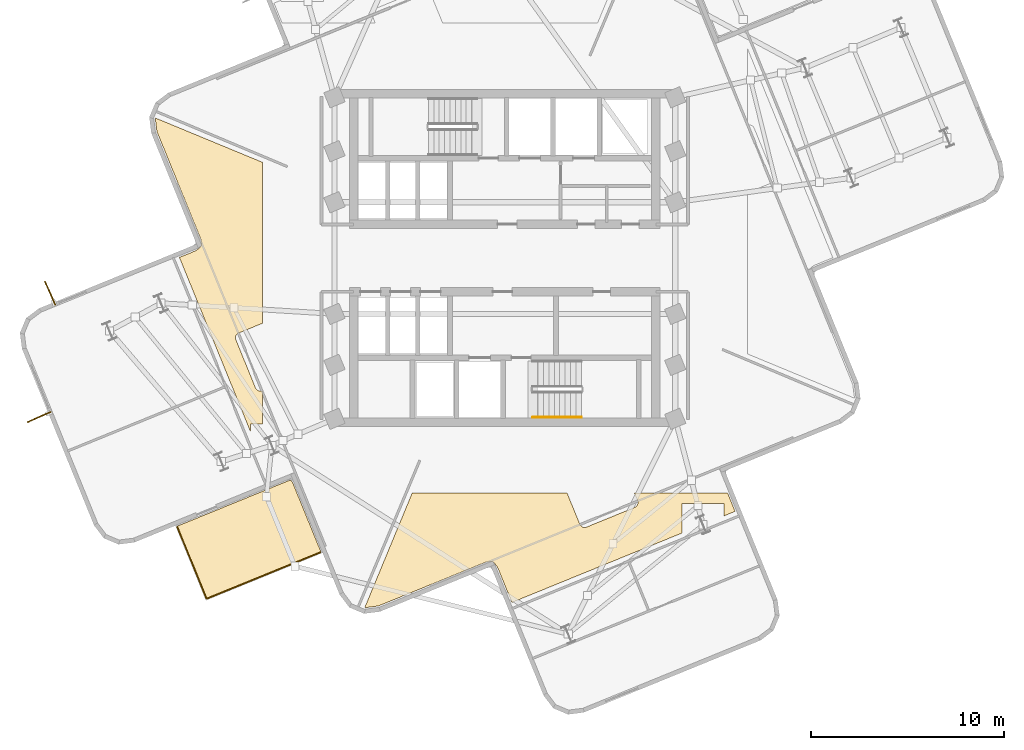
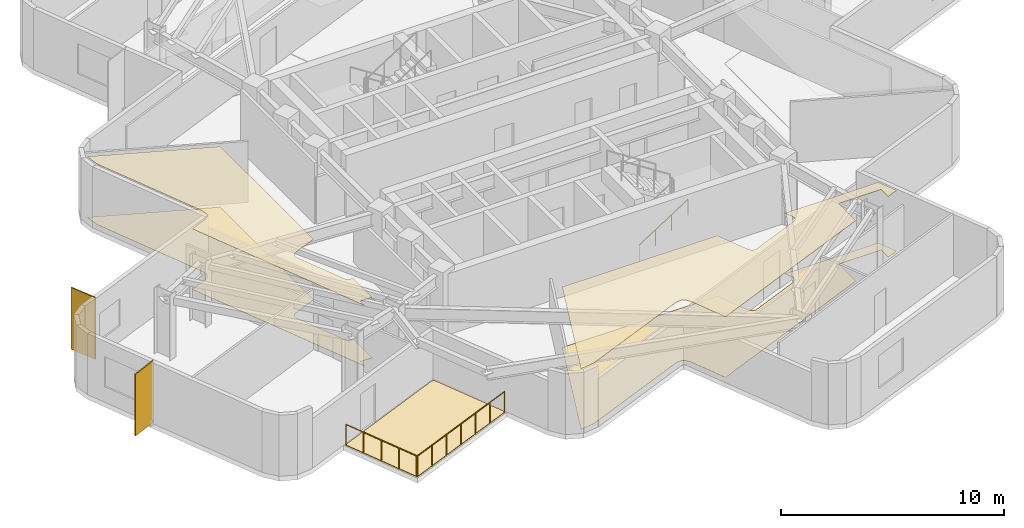
# One storey, part 6 of 8: 5 coverings, 3 railings, 2 shading devices.
"""IFC4 building model written with IfcOpenShell, lengths in metres."""

from ifc_helpers import new_model, si_unit, direction, frame, origin, origin_2d, place, context, subcontext, project, spatial, polyline, rectangle, circle, outline, extrude, material, layer, layer_set, type_object, element, save


model = new_model("IFC4")

# Units and contexts
model_context = context("Model", 3, precision=1e-05, world=origin(), true_north=direction((0.0, 1.0)))
body_context = subcontext(model_context, "Body", "Model", "MODEL_VIEW")
ifc_project = project(units=[si_unit("LENGTHUNIT", "METRE"), si_unit("AREAUNIT", "SQUARE_METRE"), si_unit("VOLUMEUNIT", "CUBIC_METRE"), si_unit("PLANEANGLEUNIT", "RADIAN"), si_unit("MASSUNIT", "GRAM", prefix="KILO")], contexts=[model_context])

# Site, building, storey
site_placement = place(None, origin())
site = spatial("IfcSite", under=ifc_project, at=site_placement, CompositionType="ELEMENT")
building_placement = place(site_placement, origin())
building = spatial("IfcBuilding", under=site, at=building_placement, Name="Solmarez Civic Tower", CompositionType="ELEMENT")
storey_placement = place(building_placement, frame((0.0, 0.0, 173.8798828125)))
storey = spatial("IfcBuildingStorey", under=building, at=storey_placement, Name="L46", CompositionType="ELEMENT", Elevation=173.8798828125)

# Coverings
ifc_material_1 = material(Name="Perforated Mineral-Fibre Acoustic Ceiling")
ifc_layer_1 = layer(ifc_material_1, 0.02490234375)
ifc_layer_set_1 = layer_set([ifc_layer_1], Name="Perforated Mineral-Fibre Acoustic Ceiling")
covering_type_1 = type_object("IfcCoveringType", Name="COV-CEIL-ACOUSTIC", PredefinedType="CEILING", material=ifc_layer_set_1)
covering_1_placement = place(storey_placement, frame((0.0, 0.0, 3.315185546875)))
element("IfcCovering", 1, at=covering_1_placement, inside=storey, type_object=covering_type_1, Name="L46 Suspended Acoustic Ceiling 2", PredefinedType="CEILING", context=body_context, shape_type="SweptSolid", body=[
    extrude(outline(polyline([(11.568115234375, -12.199951171875), (6.72802734375, -12.199951171875), (6.89208984375, -12.60107421875), (6.89404296875, -12.60595703125), (6.89990234375, -12.623046875), (6.905029296875, -12.639892578125), (6.906982421875, -12.64892578125), (6.910888671875, -12.673095703125), (6.912109375, -12.697021484375), (6.912109375, -12.70703125), (6.910888671875, -12.72900390625), (6.907958984375, -12.75), (6.906982421875, -12.7548828125), (6.89990234375, -12.781982421875), (6.89697265625, -12.791015625), (6.89208984375, -12.802978515625), (6.889892578125, -12.80810546875), (6.882080078125, -12.824951171875), (6.873046875, -12.842041015625), (6.862060546875, -12.85791015625), (6.85595703125, -12.865966796875), (6.846923828125, -12.876953125), (6.841064453125, -12.884033203125), (6.823974609375, -12.902099609375), (6.805908203125, -12.9169921875), (6.802001953125, -12.919921875), (6.781005859375, -12.93408203125), (6.759033203125, -12.945068359375), (6.75, -12.948974609375), (6.743896484375, -12.951904296875), (4.242919921875, -13.971923828125), (4.238037109375, -13.97412109375), (4.218994140625, -13.98095703125), (4.198974609375, -13.986083984375), (4.194091796875, -13.987060546875), (4.175048828125, -13.989990234375), (4.166015625, -13.990966796875), (4.14208984375, -13.991943359375), (4.136962890625, -13.991943359375), (4.114990234375, -13.990966796875), (4.093994140625, -13.988037109375), (4.089111328125, -13.987060546875), (4.06201171875, -13.97998046875), (4.052978515625, -13.97705078125), (4.041015625, -13.971923828125), (4.035888671875, -13.969970703125), (4.01904296875, -13.9619140625), (4.001953125, -13.952880859375), (3.986083984375, -13.94189453125), (3.97802734375, -13.93603515625), (3.97412109375, -13.93310546875), (3.9560546875, -13.91796875), (3.93896484375, -13.89990234375), (3.93310546875, -13.89306640625), (3.919921875, -13.8759765625), (3.908935546875, -13.85791015625), (3.89892578125, -13.839111328125), (3.89501953125, -13.830078125), (3.89208984375, -13.823974609375), (3.22900390625, -12.199951171875), (-4.81201171875, -12.199951171875), (-7.278076171875, -18.157958984375), (-7.27197265625, -18.159912109375), (-6.569091796875, -18.071044921875), (-1.032958984375, -15.81201171875), (-1.010009765625, -15.803955078125), (-1.0029296875, -15.802001953125), (-0.99609375, -15.800048828125), (-0.967041015625, -15.7939453125), (-0.95703125, -15.79296875), (-0.787109375, -15.77099609375), (-0.759033203125, -15.76904296875), (-0.742919921875, -15.76904296875), (-0.7119140625, -15.77099609375), (-0.70703125, -15.77197265625), (-0.700927734375, -15.77294921875), (-0.68408203125, -15.77490234375), (-0.66796875, -15.779052734375), (-0.660888671875, -15.781005859375), (-0.634033203125, -15.791015625), (-0.626953125, -15.7939453125), (-0.60498046875, -15.804931640625), (-0.597900390625, -15.80908203125), (-0.5849609375, -15.81689453125), (-0.5791015625, -15.821044921875), (-0.56005859375, -15.8349609375), (-0.553955078125, -15.840087890625), (-0.5390625, -15.85302734375), (-0.533935546875, -15.85791015625), (-0.52099609375, -15.873046875), (-0.51611328125, -15.87890625), (-0.510009765625, -15.886962890625), (-0.406005859375, -16.02392578125), (-0.39794921875, -16.034912109375), (-0.39404296875, -16.041015625), (-0.3798828125, -16.06494140625), (-0.3740234375, -16.076904296875), (-0.366943359375, -16.092041015625), (0.365966796875, -17.887939453125), (9.18994140625, -14.287109375), (9.18994140625, -12.75), (11.389892578125, -12.75), (11.389892578125, -13.388916015625), (11.9580078125, -13.156982421875), (11.568115234375, -12.199951171875)])), origin(), (0.0, 0.0, 1.0), 0.02490234375),
])
covering_2_placement = place(storey_placement, frame((0.0, 0.0, 3.315185546875)))
element("IfcCovering", 2, at=covering_2_placement, inside=storey, type_object=covering_type_1, Name="L46 Suspended Acoustic Ceiling 4", PredefinedType="CEILING", context=body_context, shape_type="SweptSolid", body=[
    extrude(outline(polyline([(-13.2060546875, -9.031982421875), (-13.2060546875, -8.631103515625), (-12.60009765625, -8.631103515625), (-12.60009765625, -6.89208984375), (-12.613037109375, -6.89697265625), (-12.6220703125, -6.89990234375), (-12.64892578125, -6.906982421875), (-12.654052734375, -6.907958984375), (-12.675048828125, -6.910888671875), (-12.697021484375, -6.912109375), (-12.70703125, -6.912109375), (-12.72900390625, -6.910888671875), (-12.75, -6.907958984375), (-12.7548828125, -6.906982421875), (-12.781982421875, -6.89990234375), (-12.791015625, -6.89697265625), (-12.802978515625, -6.89208984375), (-12.80810546875, -6.889892578125), (-12.824951171875, -6.882080078125), (-12.842041015625, -6.873046875), (-12.85791015625, -6.862060546875), (-12.865966796875, -6.85595703125), (-12.876953125, -6.846923828125), (-12.884033203125, -6.841064453125), (-12.902099609375, -6.823974609375), (-12.9169921875, -6.805908203125), (-12.919921875, -6.802001953125), (-12.93408203125, -6.781005859375), (-12.945068359375, -6.759033203125), (-12.948974609375, -6.75), (-12.951904296875, -6.743896484375), (-13.971923828125, -4.242919921875), (-13.97412109375, -4.238037109375), (-13.98095703125, -4.218994140625), (-13.986083984375, -4.198974609375), (-13.987060546875, -4.194091796875), (-13.989990234375, -4.175048828125), (-13.990966796875, -4.166015625), (-13.991943359375, -4.14208984375), (-13.991943359375, -4.136962890625), (-13.990966796875, -4.114990234375), (-13.988037109375, -4.093994140625), (-13.987060546875, -4.089111328125), (-13.97998046875, -4.06201171875), (-13.97705078125, -4.052978515625), (-13.971923828125, -4.041015625), (-13.969970703125, -4.035888671875), (-13.9619140625, -4.01904296875), (-13.952880859375, -4.001953125), (-13.94189453125, -3.986083984375), (-13.93603515625, -3.97802734375), (-13.93310546875, -3.97412109375), (-13.91796875, -3.9560546875), (-13.89990234375, -3.93896484375), (-13.89306640625, -3.93310546875), (-13.8759765625, -3.919921875), (-13.85791015625, -3.908935546875), (-13.839111328125, -3.89892578125), (-13.830078125, -3.89501953125), (-13.823974609375, -3.89208984375), (-12.60009765625, -3.39208984375), (-12.60009765625, 4.97705078125), (-18.157958984375, 7.278076171875), (-18.159912109375, 7.27197265625), (-18.071044921875, 6.569091796875), (-15.81201171875, 1.032958984375), (-15.803955078125, 1.010009765625), (-15.802001953125, 1.0029296875), (-15.800048828125, 0.99609375), (-15.7939453125, 0.967041015625), (-15.79296875, 0.95703125), (-15.77099609375, 0.787109375), (-15.76904296875, 0.759033203125), (-15.76904296875, 0.742919921875), (-15.77099609375, 0.7119140625), (-15.77197265625, 0.70703125), (-15.77294921875, 0.700927734375), (-15.77490234375, 0.68408203125), (-15.779052734375, 0.66796875), (-15.781005859375, 0.660888671875), (-15.791015625, 0.634033203125), (-15.7939453125, 0.626953125), (-15.804931640625, 0.60498046875), (-15.80908203125, 0.597900390625), (-15.81689453125, 0.5849609375), (-15.821044921875, 0.5791015625), (-15.8349609375, 0.56005859375), (-15.840087890625, 0.553955078125), (-15.85302734375, 0.5390625), (-15.85791015625, 0.533935546875), (-15.873046875, 0.52099609375), (-15.87890625, 0.51611328125), (-15.886962890625, 0.510009765625), (-16.02392578125, 0.406005859375), (-16.034912109375, 0.39794921875), (-16.041015625, 0.39404296875), (-16.06494140625, 0.3798828125), (-16.076904296875, 0.3740234375), (-16.092041015625, 0.366943359375), (-16.906005859375, 0.034912109375), (-13.2060546875, -9.031982421875)])), origin(), (0.0, 0.0, 1.0), 0.02490234375),
])
ifc_material_2 = material(Name="Polished Tropical Stone Terrazzo Flooring", Category="masonry")
ifc_layer_2 = layer(ifc_material_2, 0.02001953125)
ifc_layer_set_2 = layer_set([ifc_layer_2], Name="Polished Tropical Stone Terrazzo Flooring")
covering_type_2 = type_object("IfcCoveringType", Name="COV-FLOOR-TERRAZZO", PredefinedType="FLOORING", material=ifc_layer_set_2)
covering_3_placement = place(storey_placement, origin())
element("IfcCovering", 3, at=covering_3_placement, inside=storey, type_object=covering_type_2, Name="L46 Terrazzo Floor Finish 2", PredefinedType="FLOORING", context=body_context, shape_type="SweptSolid", body=[
    extrude(outline(polyline([(11.568115234375, -12.199951171875), (6.72802734375, -12.199951171875), (6.89208984375, -12.60107421875), (6.89404296875, -12.60595703125), (6.89990234375, -12.623046875), (6.905029296875, -12.639892578125), (6.906982421875, -12.64892578125), (6.910888671875, -12.673095703125), (6.912109375, -12.697021484375), (6.912109375, -12.70703125), (6.910888671875, -12.72900390625), (6.907958984375, -12.75), (6.906982421875, -12.7548828125), (6.89990234375, -12.781982421875), (6.89697265625, -12.791015625), (6.89208984375, -12.802978515625), (6.889892578125, -12.80810546875), (6.882080078125, -12.824951171875), (6.873046875, -12.842041015625), (6.862060546875, -12.85791015625), (6.85595703125, -12.865966796875), (6.846923828125, -12.876953125), (6.841064453125, -12.884033203125), (6.823974609375, -12.902099609375), (6.805908203125, -12.9169921875), (6.802001953125, -12.919921875), (6.781005859375, -12.93408203125), (6.759033203125, -12.945068359375), (6.75, -12.948974609375), (6.743896484375, -12.951904296875), (4.242919921875, -13.971923828125), (4.238037109375, -13.97412109375), (4.218994140625, -13.98095703125), (4.198974609375, -13.986083984375), (4.194091796875, -13.987060546875), (4.175048828125, -13.989990234375), (4.166015625, -13.990966796875), (4.14208984375, -13.991943359375), (4.136962890625, -13.991943359375), (4.114990234375, -13.990966796875), (4.093994140625, -13.988037109375), (4.089111328125, -13.987060546875), (4.06201171875, -13.97998046875), (4.052978515625, -13.97705078125), (4.041015625, -13.971923828125), (4.035888671875, -13.969970703125), (4.01904296875, -13.9619140625), (4.001953125, -13.952880859375), (3.986083984375, -13.94189453125), (3.97802734375, -13.93603515625), (3.97412109375, -13.93310546875), (3.9560546875, -13.91796875), (3.93896484375, -13.89990234375), (3.93310546875, -13.89306640625), (3.919921875, -13.8759765625), (3.908935546875, -13.85791015625), (3.89892578125, -13.839111328125), (3.89501953125, -13.830078125), (3.89208984375, -13.823974609375), (3.22900390625, -12.199951171875), (-4.81201171875, -12.199951171875), (-7.278076171875, -18.157958984375), (-7.27197265625, -18.159912109375), (-6.569091796875, -18.071044921875), (-1.032958984375, -15.81201171875), (-1.010009765625, -15.803955078125), (-1.0029296875, -15.802001953125), (-0.99609375, -15.800048828125), (-0.967041015625, -15.7939453125), (-0.95703125, -15.79296875), (-0.787109375, -15.77099609375), (-0.759033203125, -15.76904296875), (-0.742919921875, -15.76904296875), (-0.7119140625, -15.77099609375), (-0.70703125, -15.77197265625), (-0.700927734375, -15.77294921875), (-0.68408203125, -15.77490234375), (-0.66796875, -15.779052734375), (-0.660888671875, -15.781005859375), (-0.634033203125, -15.791015625), (-0.626953125, -15.7939453125), (-0.60498046875, -15.804931640625), (-0.597900390625, -15.80908203125), (-0.5849609375, -15.81689453125), (-0.5791015625, -15.821044921875), (-0.56005859375, -15.8349609375), (-0.553955078125, -15.840087890625), (-0.5390625, -15.85302734375), (-0.533935546875, -15.85791015625), (-0.52099609375, -15.873046875), (-0.51611328125, -15.87890625), (-0.510009765625, -15.886962890625), (-0.406005859375, -16.02392578125), (-0.39794921875, -16.034912109375), (-0.39404296875, -16.041015625), (-0.3798828125, -16.06494140625), (-0.3740234375, -16.076904296875), (-0.366943359375, -16.092041015625), (0.365966796875, -17.887939453125), (9.18994140625, -14.287109375), (9.18994140625, -12.75), (11.389892578125, -12.75), (11.389892578125, -13.388916015625), (11.9580078125, -13.156982421875), (11.568115234375, -12.199951171875)])), origin(), (0.0, 0.0, 1.0), 0.02001953125),
])
covering_4_placement = place(storey_placement, origin())
element("IfcCovering", 4, at=covering_4_placement, inside=storey, type_object=covering_type_2, Name="L46 Terrazzo Floor Finish 4", PredefinedType="FLOORING", context=body_context, shape_type="SweptSolid", body=[
    extrude(outline(polyline([(-13.2060546875, -9.031982421875), (-13.2060546875, -8.631103515625), (-12.60009765625, -8.631103515625), (-12.60009765625, -6.89208984375), (-12.613037109375, -6.89697265625), (-12.6220703125, -6.89990234375), (-12.64892578125, -6.906982421875), (-12.654052734375, -6.907958984375), (-12.675048828125, -6.910888671875), (-12.697021484375, -6.912109375), (-12.70703125, -6.912109375), (-12.72900390625, -6.910888671875), (-12.75, -6.907958984375), (-12.7548828125, -6.906982421875), (-12.781982421875, -6.89990234375), (-12.791015625, -6.89697265625), (-12.802978515625, -6.89208984375), (-12.80810546875, -6.889892578125), (-12.824951171875, -6.882080078125), (-12.842041015625, -6.873046875), (-12.85791015625, -6.862060546875), (-12.865966796875, -6.85595703125), (-12.876953125, -6.846923828125), (-12.884033203125, -6.841064453125), (-12.902099609375, -6.823974609375), (-12.9169921875, -6.805908203125), (-12.919921875, -6.802001953125), (-12.93408203125, -6.781005859375), (-12.945068359375, -6.759033203125), (-12.948974609375, -6.75), (-12.951904296875, -6.743896484375), (-13.971923828125, -4.242919921875), (-13.97412109375, -4.238037109375), (-13.98095703125, -4.218994140625), (-13.986083984375, -4.198974609375), (-13.987060546875, -4.194091796875), (-13.989990234375, -4.175048828125), (-13.990966796875, -4.166015625), (-13.991943359375, -4.14208984375), (-13.991943359375, -4.136962890625), (-13.990966796875, -4.114990234375), (-13.988037109375, -4.093994140625), (-13.987060546875, -4.089111328125), (-13.97998046875, -4.06201171875), (-13.97705078125, -4.052978515625), (-13.971923828125, -4.041015625), (-13.969970703125, -4.035888671875), (-13.9619140625, -4.01904296875), (-13.952880859375, -4.001953125), (-13.94189453125, -3.986083984375), (-13.93603515625, -3.97802734375), (-13.93310546875, -3.97412109375), (-13.91796875, -3.9560546875), (-13.89990234375, -3.93896484375), (-13.89306640625, -3.93310546875), (-13.8759765625, -3.919921875), (-13.85791015625, -3.908935546875), (-13.839111328125, -3.89892578125), (-13.830078125, -3.89501953125), (-13.823974609375, -3.89208984375), (-12.60009765625, -3.39208984375), (-12.60009765625, 4.97705078125), (-18.157958984375, 7.278076171875), (-18.159912109375, 7.27197265625), (-18.071044921875, 6.569091796875), (-15.81201171875, 1.032958984375), (-15.803955078125, 1.010009765625), (-15.802001953125, 1.0029296875), (-15.800048828125, 0.99609375), (-15.7939453125, 0.967041015625), (-15.79296875, 0.95703125), (-15.77099609375, 0.787109375), (-15.76904296875, 0.759033203125), (-15.76904296875, 0.742919921875), (-15.77099609375, 0.7119140625), (-15.77197265625, 0.70703125), (-15.77294921875, 0.700927734375), (-15.77490234375, 0.68408203125), (-15.779052734375, 0.66796875), (-15.781005859375, 0.660888671875), (-15.791015625, 0.634033203125), (-15.7939453125, 0.626953125), (-15.804931640625, 0.60498046875), (-15.80908203125, 0.597900390625), (-15.81689453125, 0.5849609375), (-15.821044921875, 0.5791015625), (-15.8349609375, 0.56005859375), (-15.840087890625, 0.553955078125), (-15.85302734375, 0.5390625), (-15.85791015625, 0.533935546875), (-15.873046875, 0.52099609375), (-15.87890625, 0.51611328125), (-15.886962890625, 0.510009765625), (-16.02392578125, 0.406005859375), (-16.034912109375, 0.39794921875), (-16.041015625, 0.39404296875), (-16.06494140625, 0.3798828125), (-16.076904296875, 0.3740234375), (-16.092041015625, 0.366943359375), (-16.906005859375, 0.034912109375), (-13.2060546875, -9.031982421875)])), origin(), (0.0, 0.0, 1.0), 0.02001953125),
])
ifc_material_3 = material(Name="Elastomeric Terrace Waterproofing Membrane")
ifc_layer_3 = layer(ifc_material_3, 0.030029296875)
ifc_layer_set_3 = layer_set([ifc_layer_3], Name="Elastomeric Terrace Waterproofing Membrane")
covering_type_3 = type_object("IfcCoveringType", Name="COV-MEMBRANE-ROOF", PredefinedType="ROOFING", material=ifc_layer_set_3)
covering_5_placement = place(storey_placement, origin())
element("IfcCovering", 5, at=covering_5_placement, inside=storey, type_object=covering_type_3, Name="L46 Balcony Waterproofing SW", PredefinedType="ROOFING", context=body_context, shape_type="SweptSolid", body=[
    extrude(outline(polyline([(-11.028076171875, -11.64892578125), (-11.10595703125, -11.547119140625), (-11.23291015625, -11.56298828125), (-17.0390625, -13.93310546875), (-15.498046875, -17.708984375), (-9.5458984375, -15.280029296875), (-11.028076171875, -11.64892578125)])), origin(), (0.0, 0.0, 1.0), 0.030029296875),
])

# Shading devices
ifc_material_4 = material(Name="Bronze Anodised Aluminium EN AW-6063 T6", Category="aluminium")
ifc_layer_4 = layer(ifc_material_4, 0.06005859375)
ifc_layer_set_4 = layer_set([ifc_layer_4], Name="Bronze Anodised Aluminium EN AW-6063 T6")
shading_device_type = type_object("IfcShadingDeviceType", Name="FIN-BRONZE-Z34", PredefinedType="USERDEFINED", material=ifc_layer_set_4)
for number, where, z_axis, x_axis, name in (
    (6, (-24.18798828125, -8.257080078125, -0.039794921875), (0.0, 0.0, 1.0), (-0.916669905311, -0.399645198517, 0.0), "L46 Anodised Bronze Solar Fin FIN-L46-01"),
    (7, (-23.62109375, -1.824951171875, -0.039794921875), (0.0, 0.0, 1.0), (-0.399693194693, 0.91664897868, 0.0), "L46 Anodised Bronze Solar Fin FIN-L46-02"),
):
    element("IfcShadingDevice", number, at=place(storey_placement, frame(where, z_axis=z_axis, x_axis=x_axis)), inside=storey, type_object=shading_device_type, Name=name, ObjectType="FIN", PredefinedType="USERDEFINED", context=body_context, shape_type="SweptSolid", body=[
        extrude(rectangle(XDim=1.35009765625, YDim=0.06005859375, at=origin_2d()), origin(), (0.0, 0.0, 1.0), 3.3798828125),
    ])

# Railings
ifc_material_5 = material(Name="Bronze Anodised Aluminium and Laminated Safety Glass Balustrade", Category="aluminium")
railing_type_1 = type_object("IfcRailingType", Name="GUARD-TERR-1180", PredefinedType="BALUSTRADE", material=ifc_material_5)
railing_1_placement = place(storey_placement, frame((-17.02587890625, -13.965087890625, 0.0)))
element("IfcRailing", 8, at=railing_1_placement, inside=storey, type_object=railing_type_1, Name="L46 Safety Balustrade GRD-BALC-L46-SW-1", PredefinedType="BALUSTRADE", context=body_context, shape_type="SweptSolid", body=[
    extrude(circle(Radius=0.02392578125, at=origin_2d()), frame((0.0, 0.0, 1.15576171875), z_axis=(0.377859711633, -0.92586286151, 0.0), x_axis=(0.92586286151, 0.377859711633, 0.0)), (0.0, 0.0, 1.0), 4.009033203125),
    extrude(circle(Radius=0.02099609375, at=origin_2d()), origin(), (0.0, 0.0, 1.0), 1.1318359375),
    extrude(circle(Radius=0.02099609375, at=origin_2d()), frame((0.378662109375, -0.927978515625, 0.0)), (0.0, 0.0, 1.0), 1.1318359375),
    extrude(circle(Radius=0.02099609375, at=origin_2d()), frame((0.75732421875, -1.85595703125, 0.0)), (0.0, 0.0, 1.0), 1.1318359375),
    extrude(circle(Radius=0.02099609375, at=origin_2d()), frame((1.13623046875, -2.783935546875, 0.0)), (0.0, 0.0, 1.0), 1.1318359375),
    extrude(circle(Radius=0.02099609375, at=origin_2d()), frame((1.514892578125, -3.7119140625, 0.0)), (0.0, 0.0, 1.0), 1.1318359375),
])
railing_2_placement = place(storey_placement, frame((-15.466064453125, -17.696044921875, 0.0)))
element("IfcRailing", 9, at=railing_2_placement, inside=storey, type_object=railing_type_1, Name="L46 Safety Balustrade GRD-BALC-L46-SW-2", PredefinedType="BALUSTRADE", context=body_context, shape_type="SweptSolid", body=[
    extrude(circle(Radius=0.02392578125, at=origin_2d()), frame((0.0, 0.0, 1.15576171875), z_axis=(0.925862170743, 0.377861404205, 0.0), x_axis=(-0.377861404205, 0.925862170743, 0.0)), (0.0, 0.0, 1.0), 6.359619140625),
    extrude(circle(Radius=0.02099609375, at=origin_2d()), origin(), (0.0, 0.0, 1.0), 1.1318359375),
    extrude(circle(Radius=0.02099609375, at=origin_2d()), frame((0.9814453125, 0.400390625, 0.0)), (0.0, 0.0, 1.0), 1.1318359375),
    extrude(circle(Radius=0.02099609375, at=origin_2d()), frame((1.962646484375, 0.801025390625, 0.0)), (0.0, 0.0, 1.0), 1.1318359375),
    extrude(circle(Radius=0.02099609375, at=origin_2d()), frame((2.944091796875, 1.20166015625, 0.0)), (0.0, 0.0, 1.0), 1.1318359375),
    extrude(circle(Radius=0.02099609375, at=origin_2d()), frame((3.925537109375, 1.60205078125, 0.0)), (0.0, 0.0, 1.0), 1.1318359375),
    extrude(circle(Radius=0.02099609375, at=origin_2d()), frame((4.90673828125, 2.00244140625, 0.0)), (0.0, 0.0, 1.0), 1.1318359375),
    extrude(circle(Radius=0.02099609375, at=origin_2d()), frame((5.88818359375, 2.403076171875, 0.0)), (0.0, 0.0, 1.0), 1.1318359375),
])
ifc_material_6 = material(Name="Brushed Stainless Steel Tube Handrail", Category="steel")
railing_type_2 = type_object("IfcRailingType", Name="HANDRAIL-STAIR-900", PredefinedType="HANDRAIL", material=ifc_material_6)
railing_3_placement = place(storey_placement, frame((1.449951171875, -8.27001953125, 0.18017578125)))
element("IfcRailing", 10, at=railing_3_placement, inside=storey, type_object=railing_type_2, Name="L46 ST-2 stair handrail 1", PredefinedType="HANDRAIL", context=body_context, shape_type="SweptSolid", body=[
    extrude(circle(Radius=0.02392578125, at=origin_2d()), frame((0.0, 0.0, 0.8759765625), z_axis=(0.841199657755, 0.0, 0.540724639528), x_axis=(0.0, 1.0, 0.0)), (0.0, 0.0, 1.0), 2.995849609375),
    extrude(circle(Radius=0.02099609375, at=origin_2d()), origin(), (0.0, 0.0, 1.0), 0.851806640625),
    extrude(circle(Radius=0.02099609375, at=origin_2d()), frame((0.840087890625, 0.0, 0.5400390625)), (0.0, 0.0, 1.0), 0.851806640625),
    extrude(circle(Radius=0.02099609375, at=origin_2d()), frame((1.679931640625, 0.0, 1.079833984375)), (0.0, 0.0, 1.0), 0.851806640625),
    extrude(circle(Radius=0.02099609375, at=origin_2d()), frame((2.52001953125, 0.0, 1.619873046875)), (0.0, 0.0, 1.0), 0.851806640625),
])

save(model, "model.ifc")
